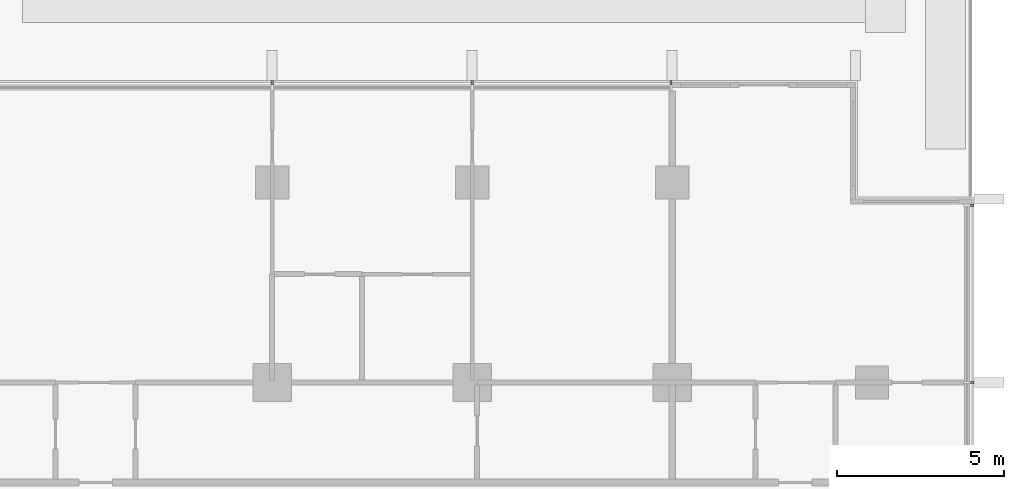
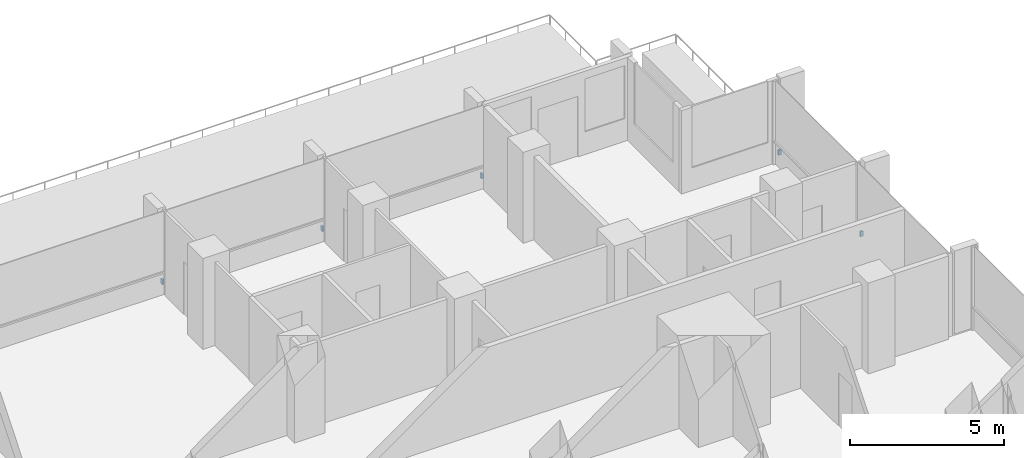
# One storey, part 17 of 19: 5 discrete accessories.
"""IFC4 building model written with IfcOpenShell, lengths in metres."""

from ifc_helpers import new_model, si_unit, direction, frame, origin, origin_2d, place, context, subcontext, project, spatial, rectangle, extrude, material, type_object, element, save


model = new_model("IFC4")

# Units and contexts
model_context = context("Model", 3, precision=1e-05, world=origin(), true_north=direction((0.0, 1.0)))
body_context = subcontext(model_context, "Body", "Model", "MODEL_VIEW")
ifc_project = project(units=[si_unit("LENGTHUNIT", "METRE"), si_unit("AREAUNIT", "SQUARE_METRE"), si_unit("VOLUMEUNIT", "CUBIC_METRE"), si_unit("PLANEANGLEUNIT", "RADIAN"), si_unit("MASSUNIT", "GRAM", prefix="KILO")], contexts=[model_context])

# Site, building, storey
site_placement = place(None, origin())
site = spatial("IfcSite", under=ifc_project, at=site_placement, CompositionType="ELEMENT")
building_placement = place(site_placement, origin())
building = spatial("IfcBuilding", under=site, at=building_placement, Name="Finial Court Residences", CompositionType="ELEMENT")
storey_placement = place(building_placement, frame((0.0, 0.0, 81.10009765625)))
storey = spatial("IfcBuildingStorey", under=building, at=storey_placement, Name="L19", CompositionType="ELEMENT", Elevation=81.10009765625)

# Discrete accessories
ifc_material = material(Name="Stainless steel 316", Category="steel")
discrete_accessory_type = type_object("IfcDiscreteAccessoryType", Name="Fin bracket, stainless steel 65 x 110 x 200", PredefinedType="BRACKET", material=ifc_material)
for number, where, z_axis, x_axis, name in (
    (1, (4.5, 22.5048828125, 0.2998046875), (0.0, 0.0, 1.0), (1.0, 0.0, 0.0), "E-L19-FIN-N5-BRK"),
    (2, (10.5, 22.5048828125, 0.2998046875), (0.0, 0.0, 1.0), (1.0, 0.0, 0.0), "E-L19-FIN-N6-BRK"),
    (3, (16.467529296875, 22.5048828125, 0.2998046875), (0.0, 0.0, 1.0), (1.0, 0.0, 0.0), "E-L19-FIN-N7-BRK"),
):
    element("IfcDiscreteAccessory", number, at=place(storey_placement, frame(where, z_axis=z_axis, x_axis=x_axis)), inside=storey, type_object=discrete_accessory_type, Name=name, PredefinedType="BRACKET", context=body_context, shape_type="SweptSolid", body=[
        extrude(rectangle(XDim=0.06494140625, YDim=0.110107421875, at=origin_2d()), origin(), (0.0, 0.0, 1.0), 0.199951171875),
    ])
for number, where, z_axis, x_axis, name in (
    (4, (25.5048828125, 13.5, 0.2998046875), (0.0, 0.0, 1.0), (1.0, 0.0, 0.0), "E-L19-FIN-E14-BRK"),
    (5, (25.5048828125, 18.8173828125, 0.2998046875), (0.0, 0.0, 1.0), (1.0, 0.0, 0.0), "E-L19-FIN-E15-BRK"),
):
    element("IfcDiscreteAccessory", number, at=place(storey_placement, frame(where, z_axis=z_axis, x_axis=x_axis)), inside=storey, type_object=discrete_accessory_type, Name=name, PredefinedType="BRACKET", context=body_context, shape_type="SweptSolid", body=[
        extrude(rectangle(XDim=0.110107421875, YDim=0.06494140625, at=origin_2d()), origin(), (0.0, 0.0, 1.0), 0.199951171875),
    ])

save(model, "model.ifc")
